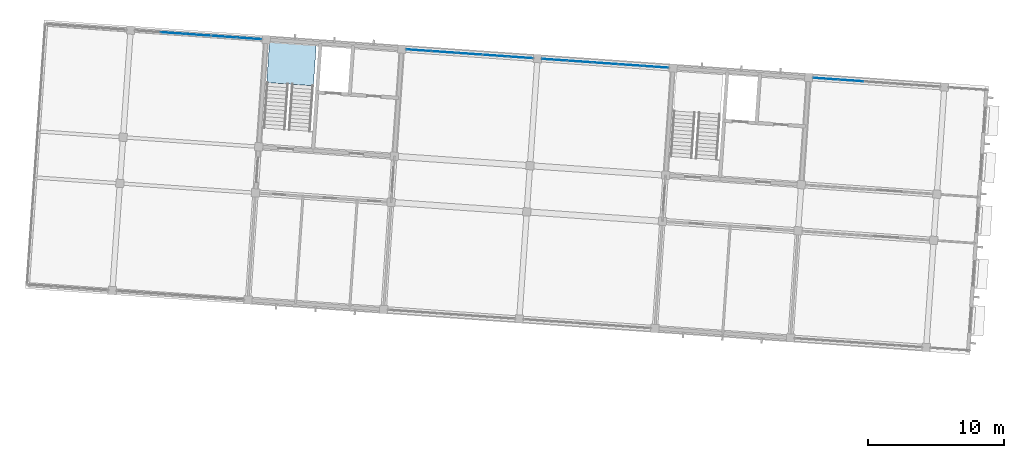
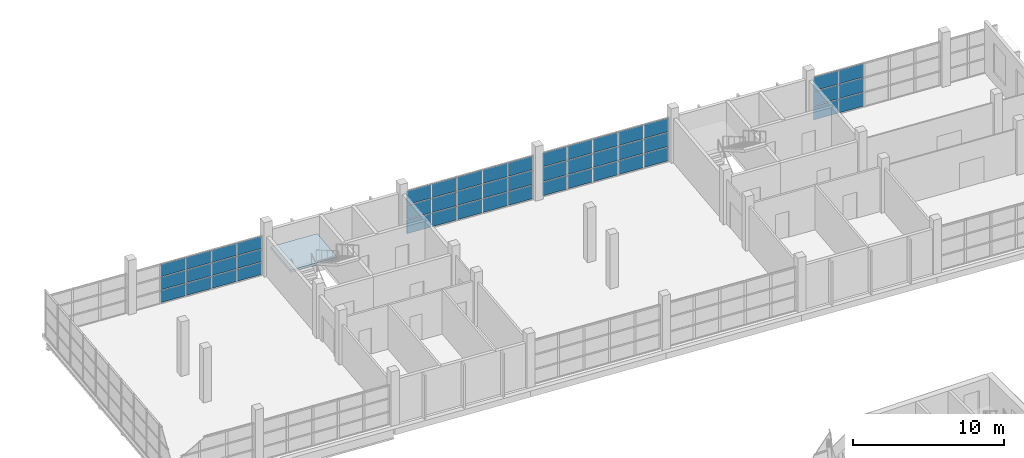
# One storey, part 58 of 115: 48 plates, 1 slab, 5 elements without a shape of their own.
"""IFC4 building model written with IfcOpenShell, lengths in metres."""

from ifc_helpers import new_model, si_unit, direction, frame, origin, origin_2d, place, context, subcontext, project, spatial, polyline, rectangle, outline, extrude, material, layer, layer_set, type_object, element, aggregate, save


model = new_model("IFC4")

# Units and contexts
model_context = context("Model", 3, precision=1e-05, world=origin(), true_north=direction((0.0, 1.0)))
body_context = subcontext(model_context, "Body", "Model", "MODEL_VIEW")
ifc_project = project(units=[si_unit("LENGTHUNIT", "METRE"), si_unit("AREAUNIT", "SQUARE_METRE"), si_unit("VOLUMEUNIT", "CUBIC_METRE"), si_unit("PLANEANGLEUNIT", "RADIAN"), si_unit("MASSUNIT", "GRAM", prefix="KILO")], contexts=[model_context])

# Site, building, storey
site_placement = place(None, origin())
site = spatial("IfcSite", under=ifc_project, at=site_placement, CompositionType="ELEMENT")
building_placement = place(site_placement, origin())
building = spatial("IfcBuilding", under=site, at=building_placement, Name="Windward Yard Aquatics Centre", CompositionType="ELEMENT")
storey_placement = place(building_placement, frame((0.0, 0.0, 5.0)))
storey = spatial("IfcBuildingStorey", under=building, at=storey_placement, Name="L01", CompositionType="ELEMENT", Elevation=5.0)

# Curtain wall, plates
ifc_material_1 = material(Name="Aluminium curtain wall system", Category="aluminium")
curtain_wall_type = type_object("IfcCurtainWallType", Name="W curtain wall 1900", PredefinedType="NOTDEFINED", material=ifc_material_1)
curtain_wall_1_placement = place(storey_placement, origin())
curtain_wall_1 = element("IfcCurtainWall", 1, at=curtain_wall_1_placement, inside=storey, type_object=curtain_wall_type, Name="Wing north glazing L01 2", PredefinedType="NOTDEFINED")
ifc_material_2 = material(Name="Double glazed unit")
ifc_layer_1 = layer(ifc_material_2, 0.028076171875)
ifc_layer_set_1 = layer_set([ifc_layer_1], Name="W CW panel IGU 28")
plate_type = type_object("IfcPlateType", Name="W CW panel IGU 28", PredefinedType="CURTAIN_PANEL", material=ifc_layer_set_1)
plate_1_placement = place(storey_placement, frame((112.31494140625, 135.80078125, 0.06005859375), z_axis=(0.0, 0.0, 1.0), x_axis=(0.997564129531, -0.069755340111, 0.0)))
plate_1 = element("IfcPlate", 2, at=plate_1_placement, type_object=plate_type, Name="WCW1 panel 2.1", PredefinedType="CURTAIN_PANEL", context=body_context, shape_type="SweptSolid", body=[
    extrude(rectangle(XDim=1.820068359375, YDim=0.028076171875, at=origin_2d()), origin(), (0.0, 0.0, 1.0), 0.978759765625),
])
plate_2_placement = place(storey_placement, frame((112.31494140625, 135.80078125, 1.0986328125), z_axis=(0.0, 0.0, 1.0), x_axis=(0.997564129531, -0.069755340111, 0.0)))
plate_2 = element("IfcPlate", 3, at=plate_2_placement, type_object=plate_type, Name="WCW1 panel 2.2", PredefinedType="CURTAIN_PANEL", context=body_context, shape_type="SweptSolid", body=[
    extrude(rectangle(XDim=1.820068359375, YDim=0.028076171875, at=origin_2d()), origin(), (0.0, 0.0, 1.0), 1.008544921875),
])
plate_3_placement = place(storey_placement, frame((112.31494140625, 135.80078125, 2.16748046875), z_axis=(0.0, 0.0, 1.0), x_axis=(0.997564129531, -0.069755340111, 0.0)))
plate_3 = element("IfcPlate", 4, at=plate_3_placement, type_object=plate_type, Name="WCW1 panel 2.3", PredefinedType="CURTAIN_PANEL", context=body_context, shape_type="SweptSolid", body=[
    extrude(rectangle(XDim=1.820068359375, YDim=0.028076171875, at=origin_2d()), origin(), (0.0, 0.0, 1.0), 0.978759765625),
])
plate_4_placement = place(storey_placement, frame((114.1904296875, 135.66943359375, 0.06005859375), z_axis=(0.0, 0.0, 1.0), x_axis=(0.997564129531, -0.069755340111, 0.0)))
plate_4 = element("IfcPlate", 5, at=plate_4_placement, type_object=plate_type, Name="WCW1 panel 3.1", PredefinedType="CURTAIN_PANEL", context=body_context, shape_type="SweptSolid", body=[
    extrude(rectangle(XDim=1.820068359375, YDim=0.028076171875, at=origin_2d()), origin(), (0.0, 0.0, 1.0), 0.978759765625),
])
plate_5_placement = place(storey_placement, frame((114.1904296875, 135.66943359375, 1.0986328125), z_axis=(0.0, 0.0, 1.0), x_axis=(0.997564129531, -0.069755340111, 0.0)))
plate_5 = element("IfcPlate", 6, at=plate_5_placement, type_object=plate_type, Name="WCW1 panel 3.2", PredefinedType="CURTAIN_PANEL", context=body_context, shape_type="SweptSolid", body=[
    extrude(rectangle(XDim=1.820068359375, YDim=0.028076171875, at=origin_2d()), origin(), (0.0, 0.0, 1.0), 1.008544921875),
])
plate_6_placement = place(storey_placement, frame((114.1904296875, 135.66943359375, 2.16748046875), z_axis=(0.0, 0.0, 1.0), x_axis=(0.997564129531, -0.069755340111, 0.0)))
plate_6 = element("IfcPlate", 7, at=plate_6_placement, type_object=plate_type, Name="WCW1 panel 3.3", PredefinedType="CURTAIN_PANEL", context=body_context, shape_type="SweptSolid", body=[
    extrude(rectangle(XDim=1.820068359375, YDim=0.028076171875, at=origin_2d()), origin(), (0.0, 0.0, 1.0), 0.978759765625),
])
plate_7_placement = place(storey_placement, frame((116.065673828125, 135.538330078125, 0.06005859375), z_axis=(0.0, 0.0, 1.0), x_axis=(0.997564129531, -0.069755340111, 0.0)))
plate_7 = element("IfcPlate", 8, at=plate_7_placement, type_object=plate_type, Name="WCW1 panel 4.1", PredefinedType="CURTAIN_PANEL", context=body_context, shape_type="SweptSolid", body=[
    extrude(rectangle(XDim=1.820068359375, YDim=0.028076171875, at=origin_2d()), origin(), (0.0, 0.0, 1.0), 0.978759765625),
])
plate_8_placement = place(storey_placement, frame((116.065673828125, 135.538330078125, 1.0986328125), z_axis=(0.0, 0.0, 1.0), x_axis=(0.997564129531, -0.069755340111, 0.0)))
plate_8 = element("IfcPlate", 9, at=plate_8_placement, type_object=plate_type, Name="WCW1 panel 4.2", PredefinedType="CURTAIN_PANEL", context=body_context, shape_type="SweptSolid", body=[
    extrude(rectangle(XDim=1.820068359375, YDim=0.028076171875, at=origin_2d()), origin(), (0.0, 0.0, 1.0), 1.008544921875),
])
plate_9_placement = place(storey_placement, frame((116.065673828125, 135.538330078125, 2.16748046875), z_axis=(0.0, 0.0, 1.0), x_axis=(0.997564129531, -0.069755340111, 0.0)))
plate_9 = element("IfcPlate", 10, at=plate_9_placement, type_object=plate_type, Name="WCW1 panel 4.3", PredefinedType="CURTAIN_PANEL", context=body_context, shape_type="SweptSolid", body=[
    extrude(rectangle(XDim=1.820068359375, YDim=0.028076171875, at=origin_2d()), origin(), (0.0, 0.0, 1.0), 0.978759765625),
])
plate_10_placement = place(storey_placement, frame((117.92626953125, 135.408203125, 0.06005859375), z_axis=(0.0, 0.0, 1.0), x_axis=(0.997564129531, -0.069755340111, 0.0)))
plate_10 = element("IfcPlate", 11, at=plate_10_placement, type_object=plate_type, Name="WCW1 panel 5.1", PredefinedType="CURTAIN_PANEL", context=body_context, shape_type="SweptSolid", body=[
    extrude(rectangle(XDim=1.7900390625, YDim=0.028076171875, at=origin_2d()), origin(), (0.0, 0.0, 1.0), 0.978759765625),
])
plate_11_placement = place(storey_placement, frame((117.92626953125, 135.408203125, 1.0986328125), z_axis=(0.0, 0.0, 1.0), x_axis=(0.997564129531, -0.069755340111, 0.0)))
plate_11 = element("IfcPlate", 12, at=plate_11_placement, type_object=plate_type, Name="WCW1 panel 5.2", PredefinedType="CURTAIN_PANEL", context=body_context, shape_type="SweptSolid", body=[
    extrude(rectangle(XDim=1.7900390625, YDim=0.028076171875, at=origin_2d()), origin(), (0.0, 0.0, 1.0), 1.008544921875),
])
plate_12_placement = place(storey_placement, frame((117.92626953125, 135.408203125, 2.16748046875), z_axis=(0.0, 0.0, 1.0), x_axis=(0.997564129531, -0.069755340111, 0.0)))
plate_12 = element("IfcPlate", 13, at=plate_12_placement, type_object=plate_type, Name="WCW1 panel 5.3", PredefinedType="CURTAIN_PANEL", context=body_context, shape_type="SweptSolid", body=[
    extrude(rectangle(XDim=1.7900390625, YDim=0.028076171875, at=origin_2d()), origin(), (0.0, 0.0, 1.0), 0.978759765625),
])
aggregate(curtain_wall_1, [plate_1, plate_2, plate_3, plate_4, plate_5, plate_6, plate_7, plate_8, plate_9, plate_10, plate_11, plate_12])

curtain_wall_2_placement = place(storey_placement, origin())
curtain_wall_2 = element("IfcCurtainWall", 14, at=curtain_wall_2_placement, inside=storey, type_object=curtain_wall_type, Name="Wing north glazing L01 3", PredefinedType="NOTDEFINED")
plate_13_placement = place(storey_placement, frame((130.40576171875, 134.53564453125, 0.06005859375), z_axis=(0.0, 0.0, 1.0), x_axis=(0.997564129531, -0.069755340111, 0.0)))
plate_13 = element("IfcPlate", 15, at=plate_13_placement, type_object=plate_type, Name="WCW1 panel 1.1", PredefinedType="CURTAIN_PANEL", context=body_context, shape_type="SweptSolid", body=[
    extrude(rectangle(XDim=1.7900390625, YDim=0.028076171875, at=origin_2d()), origin(), (0.0, 0.0, 1.0), 1.10009765625),
])
plate_14_placement = place(storey_placement, frame((130.40576171875, 134.53564453125, 1.219970703125), z_axis=(0.0, 0.0, 1.0), x_axis=(0.997564129531, -0.069755340111, 0.0)))
plate_14 = element("IfcPlate", 16, at=plate_14_placement, type_object=plate_type, Name="WCW1 panel 1.2", PredefinedType="CURTAIN_PANEL", context=body_context, shape_type="SweptSolid", body=[
    extrude(rectangle(XDim=1.7900390625, YDim=0.028076171875, at=origin_2d()), origin(), (0.0, 0.0, 1.0), 1.1298828125),
])
plate_15_placement = place(storey_placement, frame((130.40576171875, 134.53564453125, 2.409912109375), z_axis=(0.0, 0.0, 1.0), x_axis=(0.997564129531, -0.069755340111, 0.0)))
plate_15 = element("IfcPlate", 17, at=plate_15_placement, type_object=plate_type, Name="WCW1 panel 1.3", PredefinedType="CURTAIN_PANEL", context=body_context, shape_type="SweptSolid", body=[
    extrude(rectangle(XDim=1.7900390625, YDim=0.028076171875, at=origin_2d()), origin(), (0.0, 0.0, 1.0), 1.10009765625),
])
plate_16_placement = place(storey_placement, frame((132.26611328125, 134.405517578125, 0.06005859375), z_axis=(0.0, 0.0, 1.0), x_axis=(0.997564129531, -0.069755340111, 0.0)))
plate_16 = element("IfcPlate", 18, at=plate_16_placement, type_object=plate_type, Name="WCW1 panel 2.1", PredefinedType="CURTAIN_PANEL", context=body_context, shape_type="SweptSolid", body=[
    extrude(rectangle(XDim=1.820068359375, YDim=0.028076171875, at=origin_2d()), origin(), (0.0, 0.0, 1.0), 1.10009765625),
])
plate_17_placement = place(storey_placement, frame((132.26611328125, 134.405517578125, 1.219970703125), z_axis=(0.0, 0.0, 1.0), x_axis=(0.997564129531, -0.069755340111, 0.0)))
plate_17 = element("IfcPlate", 19, at=plate_17_placement, type_object=plate_type, Name="WCW1 panel 2.2", PredefinedType="CURTAIN_PANEL", context=body_context, shape_type="SweptSolid", body=[
    extrude(rectangle(XDim=1.820068359375, YDim=0.028076171875, at=origin_2d()), origin(), (0.0, 0.0, 1.0), 1.1298828125),
])
plate_18_placement = place(storey_placement, frame((132.26611328125, 134.405517578125, 2.409912109375), z_axis=(0.0, 0.0, 1.0), x_axis=(0.997564129531, -0.069755340111, 0.0)))
plate_18 = element("IfcPlate", 20, at=plate_18_placement, type_object=plate_type, Name="WCW1 panel 2.3", PredefinedType="CURTAIN_PANEL", context=body_context, shape_type="SweptSolid", body=[
    extrude(rectangle(XDim=1.820068359375, YDim=0.028076171875, at=origin_2d()), origin(), (0.0, 0.0, 1.0), 1.10009765625),
])
plate_19_placement = place(storey_placement, frame((134.1416015625, 134.2744140625, 0.06005859375), z_axis=(0.0, 0.0, 1.0), x_axis=(0.997564129531, -0.069755340111, 0.0)))
plate_19 = element("IfcPlate", 21, at=plate_19_placement, type_object=plate_type, Name="WCW1 panel 3.1", PredefinedType="CURTAIN_PANEL", context=body_context, shape_type="SweptSolid", body=[
    extrude(rectangle(XDim=1.820068359375, YDim=0.028076171875, at=origin_2d()), origin(), (0.0, 0.0, 1.0), 1.10009765625),
])
plate_20_placement = place(storey_placement, frame((134.1416015625, 134.2744140625, 1.219970703125), z_axis=(0.0, 0.0, 1.0), x_axis=(0.997564129531, -0.069755340111, 0.0)))
plate_20 = element("IfcPlate", 22, at=plate_20_placement, type_object=plate_type, Name="WCW1 panel 3.2", PredefinedType="CURTAIN_PANEL", context=body_context, shape_type="SweptSolid", body=[
    extrude(rectangle(XDim=1.820068359375, YDim=0.028076171875, at=origin_2d()), origin(), (0.0, 0.0, 1.0), 1.1298828125),
])
plate_21_placement = place(storey_placement, frame((134.1416015625, 134.2744140625, 2.409912109375), z_axis=(0.0, 0.0, 1.0), x_axis=(0.997564129531, -0.069755340111, 0.0)))
plate_21 = element("IfcPlate", 23, at=plate_21_placement, type_object=plate_type, Name="WCW1 panel 3.3", PredefinedType="CURTAIN_PANEL", context=body_context, shape_type="SweptSolid", body=[
    extrude(rectangle(XDim=1.820068359375, YDim=0.028076171875, at=origin_2d()), origin(), (0.0, 0.0, 1.0), 1.10009765625),
])
plate_22_placement = place(storey_placement, frame((136.01708984375, 134.143310546875, 0.06005859375), z_axis=(0.0, 0.0, 1.0), x_axis=(0.997564129531, -0.069755340111, 0.0)))
plate_22 = element("IfcPlate", 24, at=plate_22_placement, type_object=plate_type, Name="WCW1 panel 4.1", PredefinedType="CURTAIN_PANEL", context=body_context, shape_type="SweptSolid", body=[
    extrude(rectangle(XDim=1.820068359375, YDim=0.028076171875, at=origin_2d()), origin(), (0.0, 0.0, 1.0), 1.10009765625),
])
plate_23_placement = place(storey_placement, frame((136.01708984375, 134.143310546875, 1.219970703125), z_axis=(0.0, 0.0, 1.0), x_axis=(0.997564129531, -0.069755340111, 0.0)))
plate_23 = element("IfcPlate", 25, at=plate_23_placement, type_object=plate_type, Name="WCW1 panel 4.2", PredefinedType="CURTAIN_PANEL", context=body_context, shape_type="SweptSolid", body=[
    extrude(rectangle(XDim=1.820068359375, YDim=0.028076171875, at=origin_2d()), origin(), (0.0, 0.0, 1.0), 1.1298828125),
])
plate_24_placement = place(storey_placement, frame((136.01708984375, 134.143310546875, 2.409912109375), z_axis=(0.0, 0.0, 1.0), x_axis=(0.997564129531, -0.069755340111, 0.0)))
plate_24 = element("IfcPlate", 26, at=plate_24_placement, type_object=plate_type, Name="WCW1 panel 4.3", PredefinedType="CURTAIN_PANEL", context=body_context, shape_type="SweptSolid", body=[
    extrude(rectangle(XDim=1.820068359375, YDim=0.028076171875, at=origin_2d()), origin(), (0.0, 0.0, 1.0), 1.10009765625),
])
plate_25_placement = place(storey_placement, frame((137.87744140625, 134.01318359375, 0.06005859375), z_axis=(0.0, 0.0, 1.0), x_axis=(0.997564129531, -0.069755340111, 0.0)))
plate_25 = element("IfcPlate", 27, at=plate_25_placement, type_object=plate_type, Name="WCW1 panel 5.1", PredefinedType="CURTAIN_PANEL", context=body_context, shape_type="SweptSolid", body=[
    extrude(rectangle(XDim=1.7900390625, YDim=0.028076171875, at=origin_2d()), origin(), (0.0, 0.0, 1.0), 1.10009765625),
])
plate_26_placement = place(storey_placement, frame((137.87744140625, 134.01318359375, 1.219970703125), z_axis=(0.0, 0.0, 1.0), x_axis=(0.997564129531, -0.069755340111, 0.0)))
plate_26 = element("IfcPlate", 28, at=plate_26_placement, type_object=plate_type, Name="WCW1 panel 5.2", PredefinedType="CURTAIN_PANEL", context=body_context, shape_type="SweptSolid", body=[
    extrude(rectangle(XDim=1.7900390625, YDim=0.028076171875, at=origin_2d()), origin(), (0.0, 0.0, 1.0), 1.1298828125),
])
plate_27_placement = place(storey_placement, frame((137.87744140625, 134.01318359375, 2.409912109375), z_axis=(0.0, 0.0, 1.0), x_axis=(0.997564129531, -0.069755340111, 0.0)))
plate_27 = element("IfcPlate", 29, at=plate_27_placement, type_object=plate_type, Name="WCW1 panel 5.3", PredefinedType="CURTAIN_PANEL", context=body_context, shape_type="SweptSolid", body=[
    extrude(rectangle(XDim=1.7900390625, YDim=0.028076171875, at=origin_2d()), origin(), (0.0, 0.0, 1.0), 1.10009765625),
])
aggregate(curtain_wall_2, [plate_13, plate_14, plate_15, plate_16, plate_17, plate_18, plate_19, plate_20, plate_21, plate_22, plate_23, plate_24, plate_25, plate_26, plate_27])

curtain_wall_3_placement = place(storey_placement, origin())
curtain_wall_3 = element("IfcCurtainWall", 30, at=curtain_wall_3_placement, inside=storey, type_object=curtain_wall_type, Name="Wing north glazing L01 4", PredefinedType="NOTDEFINED")
plate_28_placement = place(storey_placement, frame((140.38134765625, 133.838134765625, 0.06005859375), z_axis=(0.0, 0.0, 1.0), x_axis=(0.997564129531, -0.069755340111, 0.0)))
plate_28 = element("IfcPlate", 31, at=plate_28_placement, type_object=plate_type, Name="WCW1 panel 1.1", PredefinedType="CURTAIN_PANEL", context=body_context, shape_type="SweptSolid", body=[
    extrude(rectangle(XDim=1.7900390625, YDim=0.028076171875, at=origin_2d()), origin(), (0.0, 0.0, 1.0), 1.10009765625),
])
plate_29_placement = place(storey_placement, frame((140.38134765625, 133.838134765625, 1.219970703125), z_axis=(0.0, 0.0, 1.0), x_axis=(0.997564129531, -0.069755340111, 0.0)))
plate_29 = element("IfcPlate", 32, at=plate_29_placement, type_object=plate_type, Name="WCW1 panel 1.2", PredefinedType="CURTAIN_PANEL", context=body_context, shape_type="SweptSolid", body=[
    extrude(rectangle(XDim=1.7900390625, YDim=0.028076171875, at=origin_2d()), origin(), (0.0, 0.0, 1.0), 1.1298828125),
])
plate_30_placement = place(storey_placement, frame((140.38134765625, 133.838134765625, 2.409912109375), z_axis=(0.0, 0.0, 1.0), x_axis=(0.997564129531, -0.069755340111, 0.0)))
plate_30 = element("IfcPlate", 33, at=plate_30_placement, type_object=plate_type, Name="WCW1 panel 1.3", PredefinedType="CURTAIN_PANEL", context=body_context, shape_type="SweptSolid", body=[
    extrude(rectangle(XDim=1.7900390625, YDim=0.028076171875, at=origin_2d()), origin(), (0.0, 0.0, 1.0), 1.10009765625),
])
plate_31_placement = place(storey_placement, frame((142.241943359375, 133.7080078125, 0.06005859375), z_axis=(0.0, 0.0, 1.0), x_axis=(0.997564129531, -0.069755340111, 0.0)))
plate_31 = element("IfcPlate", 34, at=plate_31_placement, type_object=plate_type, Name="WCW1 panel 2.1", PredefinedType="CURTAIN_PANEL", context=body_context, shape_type="SweptSolid", body=[
    extrude(rectangle(XDim=1.820068359375, YDim=0.028076171875, at=origin_2d()), origin(), (0.0, 0.0, 1.0), 1.10009765625),
])
plate_32_placement = place(storey_placement, frame((142.241943359375, 133.7080078125, 1.219970703125), z_axis=(0.0, 0.0, 1.0), x_axis=(0.997564129531, -0.069755340111, 0.0)))
plate_32 = element("IfcPlate", 35, at=plate_32_placement, type_object=plate_type, Name="WCW1 panel 2.2", PredefinedType="CURTAIN_PANEL", context=body_context, shape_type="SweptSolid", body=[
    extrude(rectangle(XDim=1.820068359375, YDim=0.028076171875, at=origin_2d()), origin(), (0.0, 0.0, 1.0), 1.1298828125),
])
plate_33_placement = place(storey_placement, frame((142.241943359375, 133.7080078125, 2.409912109375), z_axis=(0.0, 0.0, 1.0), x_axis=(0.997564129531, -0.069755340111, 0.0)))
plate_33 = element("IfcPlate", 36, at=plate_33_placement, type_object=plate_type, Name="WCW1 panel 2.3", PredefinedType="CURTAIN_PANEL", context=body_context, shape_type="SweptSolid", body=[
    extrude(rectangle(XDim=1.820068359375, YDim=0.028076171875, at=origin_2d()), origin(), (0.0, 0.0, 1.0), 1.10009765625),
])
plate_34_placement = place(storey_placement, frame((144.1171875, 133.576904296875, 0.06005859375), z_axis=(0.0, 0.0, 1.0), x_axis=(0.997564129531, -0.069755340111, 0.0)))
plate_34 = element("IfcPlate", 37, at=plate_34_placement, type_object=plate_type, Name="WCW1 panel 3.1", PredefinedType="CURTAIN_PANEL", context=body_context, shape_type="SweptSolid", body=[
    extrude(rectangle(XDim=1.820068359375, YDim=0.028076171875, at=origin_2d()), origin(), (0.0, 0.0, 1.0), 1.10009765625),
])
plate_35_placement = place(storey_placement, frame((144.1171875, 133.576904296875, 1.219970703125), z_axis=(0.0, 0.0, 1.0), x_axis=(0.997564129531, -0.069755340111, 0.0)))
plate_35 = element("IfcPlate", 38, at=plate_35_placement, type_object=plate_type, Name="WCW1 panel 3.2", PredefinedType="CURTAIN_PANEL", context=body_context, shape_type="SweptSolid", body=[
    extrude(rectangle(XDim=1.820068359375, YDim=0.028076171875, at=origin_2d()), origin(), (0.0, 0.0, 1.0), 1.1298828125),
])
plate_36_placement = place(storey_placement, frame((144.1171875, 133.576904296875, 2.409912109375), z_axis=(0.0, 0.0, 1.0), x_axis=(0.997564129531, -0.069755340111, 0.0)))
plate_36 = element("IfcPlate", 39, at=plate_36_placement, type_object=plate_type, Name="WCW1 panel 3.3", PredefinedType="CURTAIN_PANEL", context=body_context, shape_type="SweptSolid", body=[
    extrude(rectangle(XDim=1.820068359375, YDim=0.028076171875, at=origin_2d()), origin(), (0.0, 0.0, 1.0), 1.10009765625),
])
plate_37_placement = place(storey_placement, frame((145.99267578125, 133.44580078125, 0.06005859375), z_axis=(0.0, 0.0, 1.0), x_axis=(0.997564129531, -0.069755340111, 0.0)))
plate_37 = element("IfcPlate", 40, at=plate_37_placement, type_object=plate_type, Name="WCW1 panel 4.1", PredefinedType="CURTAIN_PANEL", context=body_context, shape_type="SweptSolid", body=[
    extrude(rectangle(XDim=1.820068359375, YDim=0.028076171875, at=origin_2d()), origin(), (0.0, 0.0, 1.0), 1.10009765625),
])
plate_38_placement = place(storey_placement, frame((145.99267578125, 133.44580078125, 1.219970703125), z_axis=(0.0, 0.0, 1.0), x_axis=(0.997564129531, -0.069755340111, 0.0)))
plate_38 = element("IfcPlate", 41, at=plate_38_placement, type_object=plate_type, Name="WCW1 panel 4.2", PredefinedType="CURTAIN_PANEL", context=body_context, shape_type="SweptSolid", body=[
    extrude(rectangle(XDim=1.820068359375, YDim=0.028076171875, at=origin_2d()), origin(), (0.0, 0.0, 1.0), 1.1298828125),
])
plate_39_placement = place(storey_placement, frame((145.99267578125, 133.44580078125, 2.409912109375), z_axis=(0.0, 0.0, 1.0), x_axis=(0.997564129531, -0.069755340111, 0.0)))
plate_39 = element("IfcPlate", 42, at=plate_39_placement, type_object=plate_type, Name="WCW1 panel 4.3", PredefinedType="CURTAIN_PANEL", context=body_context, shape_type="SweptSolid", body=[
    extrude(rectangle(XDim=1.820068359375, YDim=0.028076171875, at=origin_2d()), origin(), (0.0, 0.0, 1.0), 1.10009765625),
])
plate_40_placement = place(storey_placement, frame((147.85302734375, 133.315673828125, 0.06005859375), z_axis=(0.0, 0.0, 1.0), x_axis=(0.997564129531, -0.069755340111, 0.0)))
plate_40 = element("IfcPlate", 43, at=plate_40_placement, type_object=plate_type, Name="WCW1 panel 5.1", PredefinedType="CURTAIN_PANEL", context=body_context, shape_type="SweptSolid", body=[
    extrude(rectangle(XDim=1.7900390625, YDim=0.028076171875, at=origin_2d()), origin(), (0.0, 0.0, 1.0), 1.10009765625),
])
plate_41_placement = place(storey_placement, frame((147.85302734375, 133.315673828125, 1.219970703125), z_axis=(0.0, 0.0, 1.0), x_axis=(0.997564129531, -0.069755340111, 0.0)))
plate_41 = element("IfcPlate", 44, at=plate_41_placement, type_object=plate_type, Name="WCW1 panel 5.2", PredefinedType="CURTAIN_PANEL", context=body_context, shape_type="SweptSolid", body=[
    extrude(rectangle(XDim=1.7900390625, YDim=0.028076171875, at=origin_2d()), origin(), (0.0, 0.0, 1.0), 1.1298828125),
])
plate_42_placement = place(storey_placement, frame((147.85302734375, 133.315673828125, 2.409912109375), z_axis=(0.0, 0.0, 1.0), x_axis=(0.997564129531, -0.069755340111, 0.0)))
plate_42 = element("IfcPlate", 45, at=plate_42_placement, type_object=plate_type, Name="WCW1 panel 5.3", PredefinedType="CURTAIN_PANEL", context=body_context, shape_type="SweptSolid", body=[
    extrude(rectangle(XDim=1.7900390625, YDim=0.028076171875, at=origin_2d()), origin(), (0.0, 0.0, 1.0), 1.10009765625),
])
aggregate(curtain_wall_3, [plate_28, plate_29, plate_30, plate_31, plate_32, plate_33, plate_34, plate_35, plate_36, plate_37, plate_38, plate_39, plate_40, plate_41, plate_42])

curtain_wall_4_placement = place(storey_placement, origin())
curtain_wall_4 = element("IfcCurtainWall", 46, at=curtain_wall_4_placement, inside=storey, type_object=curtain_wall_type, Name="Wing north glazing L01 5", PredefinedType="NOTDEFINED")
plate_43_placement = place(storey_placement, frame((160.332763671875, 132.44287109375, 0.06005859375), z_axis=(0.0, 0.0, 1.0), x_axis=(0.997564129531, -0.069755340111, 0.0)))
plate_43 = element("IfcPlate", 47, at=plate_43_placement, type_object=plate_type, Name="WCW1 panel 1.1", PredefinedType="CURTAIN_PANEL", context=body_context, shape_type="SweptSolid", body=[
    extrude(rectangle(XDim=1.7900390625, YDim=0.028076171875, at=origin_2d()), origin(), (0.0, 0.0, 1.0), 1.10009765625),
])
plate_44_placement = place(storey_placement, frame((160.332763671875, 132.44287109375, 1.219970703125), z_axis=(0.0, 0.0, 1.0), x_axis=(0.997564129531, -0.069755340111, 0.0)))
plate_44 = element("IfcPlate", 48, at=plate_44_placement, type_object=plate_type, Name="WCW1 panel 1.2", PredefinedType="CURTAIN_PANEL", context=body_context, shape_type="SweptSolid", body=[
    extrude(rectangle(XDim=1.7900390625, YDim=0.028076171875, at=origin_2d()), origin(), (0.0, 0.0, 1.0), 1.1298828125),
])
plate_45_placement = place(storey_placement, frame((160.332763671875, 132.44287109375, 2.409912109375), z_axis=(0.0, 0.0, 1.0), x_axis=(0.997564129531, -0.069755340111, 0.0)))
plate_45 = element("IfcPlate", 49, at=plate_45_placement, type_object=plate_type, Name="WCW1 panel 1.3", PredefinedType="CURTAIN_PANEL", context=body_context, shape_type="SweptSolid", body=[
    extrude(rectangle(XDim=1.7900390625, YDim=0.028076171875, at=origin_2d()), origin(), (0.0, 0.0, 1.0), 1.10009765625),
])
plate_46_placement = place(storey_placement, frame((162.193115234375, 132.31298828125, 0.06005859375), z_axis=(0.0, 0.0, 1.0), x_axis=(0.997564129531, -0.069755340111, 0.0)))
plate_46 = element("IfcPlate", 50, at=plate_46_placement, type_object=plate_type, Name="WCW1 panel 2.1", PredefinedType="CURTAIN_PANEL", context=body_context, shape_type="SweptSolid", body=[
    extrude(rectangle(XDim=1.820068359375, YDim=0.028076171875, at=origin_2d()), origin(), (0.0, 0.0, 1.0), 1.10009765625),
])
plate_47_placement = place(storey_placement, frame((162.193115234375, 132.31298828125, 1.219970703125), z_axis=(0.0, 0.0, 1.0), x_axis=(0.997564129531, -0.069755340111, 0.0)))
plate_47 = element("IfcPlate", 51, at=plate_47_placement, type_object=plate_type, Name="WCW1 panel 2.2", PredefinedType="CURTAIN_PANEL", context=body_context, shape_type="SweptSolid", body=[
    extrude(rectangle(XDim=1.820068359375, YDim=0.028076171875, at=origin_2d()), origin(), (0.0, 0.0, 1.0), 1.1298828125),
])
plate_48_placement = place(storey_placement, frame((162.193115234375, 132.31298828125, 2.409912109375), z_axis=(0.0, 0.0, 1.0), x_axis=(0.997564129531, -0.069755340111, 0.0)))
plate_48 = element("IfcPlate", 52, at=plate_48_placement, type_object=plate_type, Name="WCW1 panel 2.3", PredefinedType="CURTAIN_PANEL", context=body_context, shape_type="SweptSolid", body=[
    extrude(rectangle(XDim=1.820068359375, YDim=0.028076171875, at=origin_2d()), origin(), (0.0, 0.0, 1.0), 1.10009765625),
])
aggregate(curtain_wall_4, [plate_43, plate_44, plate_45, plate_46, plate_47, plate_48])

# Stair, slab
ifc_material_3 = material(Name="Concrete C35/45", Category="concrete")
stair_type = type_object("IfcStairType", Name="W exit stair 1600", PredefinedType="HALF_TURN_STAIR", material=ifc_material_3)
stair_placement = place(storey_placement, origin())
stair = element("IfcStair", 53, at=stair_placement, inside=storey, type_object=stair_type, Name="W.ST.W.L01", PredefinedType="HALF_TURN_STAIR")
ifc_layer_2 = layer(ifc_material_3, 0.199951171875)
ifc_layer_set_2 = layer_set([ifc_layer_2], Name="W stair landing 200 Concrete C35/45")
slab_type = type_object("IfcSlabType", Name="W stair landing 200 Concrete C35/45", PredefinedType="LANDING", material=ifc_layer_set_2)
slab_placement = place(storey_placement, frame((0.0, 0.0, 2.0)))
slab = element("IfcSlab", 54, at=slab_placement, type_object=slab_type, Name="ST-W landing 1", PredefinedType="LANDING", context=body_context, shape_type="SweptSolid", body=[
    extrude(outline(polyline([(119.207763671875, 132.160888671875), (122.6494140625, 131.92041015625), (122.860595703125, 134.93798828125), (119.4189453125, 135.1787109375), (119.207763671875, 132.160888671875)])), origin(), (0.0, 0.0, 1.0), 0.199951171875),
])
aggregate(stair, [slab])

save(model, "model.ifc")
